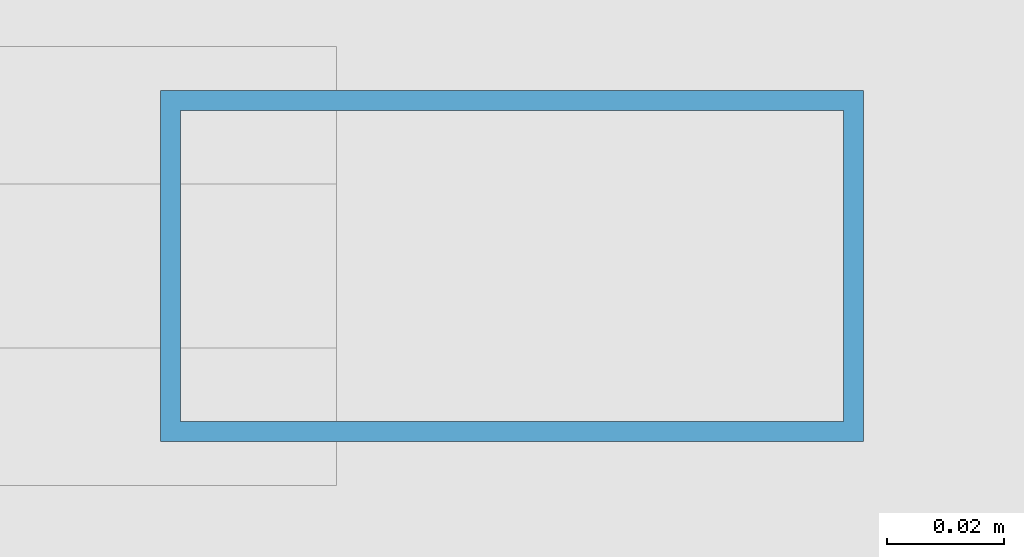
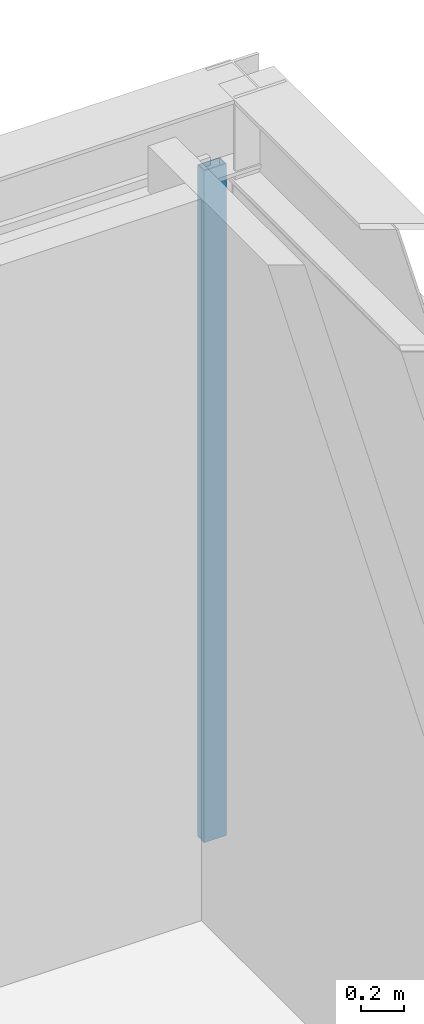
# One storey, part 24 of 142: 1 member, 1 element without a shape of its own.
"""IFC4 building model written with IfcOpenShell, lengths in metres."""

from ifc_helpers import new_model, si_unit, direction, frame, origin, origin_2d, place, context, subcontext, project, spatial, hollow_rectangle, extrude, material, layer, layer_set, material_profile, profile_set, type_object, element, aggregate, save


model = new_model("IFC4")

# Units and contexts
model_context = context("Model", 3, precision=1e-05, world=origin(), true_north=direction((0.0, 1.0)))
body_context = subcontext(model_context, "Body", "Model", "MODEL_VIEW")
ifc_project = project(units=[si_unit("LENGTHUNIT", "METRE"), si_unit("AREAUNIT", "SQUARE_METRE"), si_unit("VOLUMEUNIT", "CUBIC_METRE"), si_unit("PLANEANGLEUNIT", "RADIAN"), si_unit("MASSUNIT", "GRAM", prefix="KILO")], contexts=[model_context])

# Site, building, storey
site_placement = place(None, origin())
site = spatial("IfcSite", under=ifc_project, at=site_placement, CompositionType="ELEMENT")
building_placement = place(site_placement, origin())
building = spatial("IfcBuilding", under=site, at=building_placement, Name="Montelvaro Courts of Justice", CompositionType="ELEMENT")
storey_placement = place(building_placement, frame((0.0, 0.0, 14.39990234375)))
storey = spatial("IfcBuildingStorey", under=building, at=storey_placement, Name="L03", CompositionType="ELEMENT", Elevation=14.39990234375)

# Curtain wall, member
ifc_material = material(Name="Anodised aluminium EN AW-6063", Category="aluminium")
ifc_layer = layer(ifc_material, 0.159912109375)
ifc_layer_set = layer_set([ifc_layer], Name="Anodised aluminium EN AW-6063")
curtain_wall_type = type_object("IfcCurtainWallType", Name="CurtainWall_18_868x418", PredefinedType="USERDEFINED", material=ifc_layer_set)
curtain_wall_placement = place(storey_placement, origin())
curtain_wall = element("IfcCurtainWall", 1, at=curtain_wall_placement, inside=storey, type_object=curtain_wall_type, Name="Curtain Wall CW-18 (L03)", ObjectType="CURTAIN WALL", PredefinedType="USERDEFINED")
ifc_material_profile = material_profile(ifc_material, hollow_rectangle(XDim=0.06005859375, YDim=0.1201171875, WallThickness=0.00341796875, at=origin_2d()), Name="ALU-M 60x120")
ifc_profile_set = profile_set([ifc_material_profile], Name="Anodised aluminium EN AW-6063")
member_type = type_object("IfcMemberType", Name="CurtainWall_Mullion_60x120", PredefinedType="MULLION", material=ifc_profile_set)
member_placement = place(storey_placement, frame((44.81494140625, 54.0, 0.0), z_axis=(0.0, 0.0, 1.0), x_axis=(0.0, -1.0, 0.0)))
member = element("IfcMember", 2, at=member_placement, type_object=member_type, Name="CW-18 mullion 1", PredefinedType="MULLION", context=body_context, shape_type="SweptSolid", body=[
    extrude(hollow_rectangle(XDim=0.06005859375, YDim=0.1201171875, WallThickness=0.00341796875, at=origin_2d()), origin(), (0.0, 0.0, 1.0), 3.85498046875),
])
aggregate(curtain_wall, [member])

save(model, "model.ifc")
